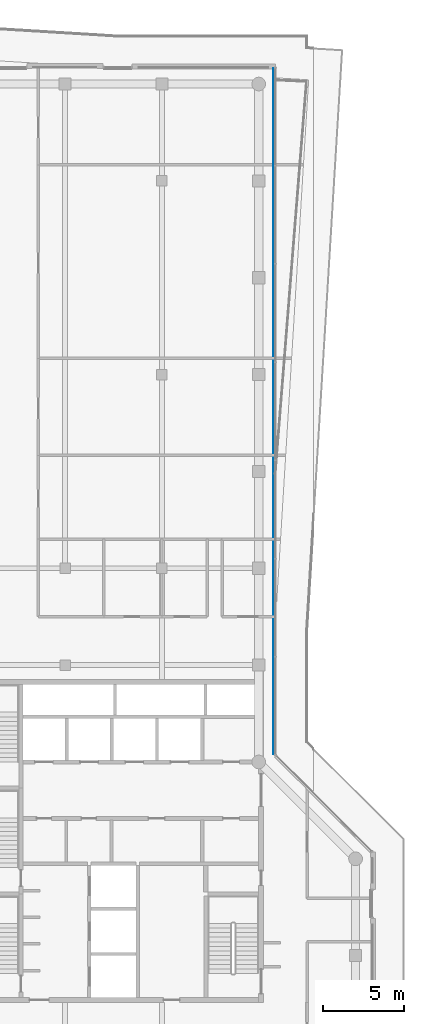
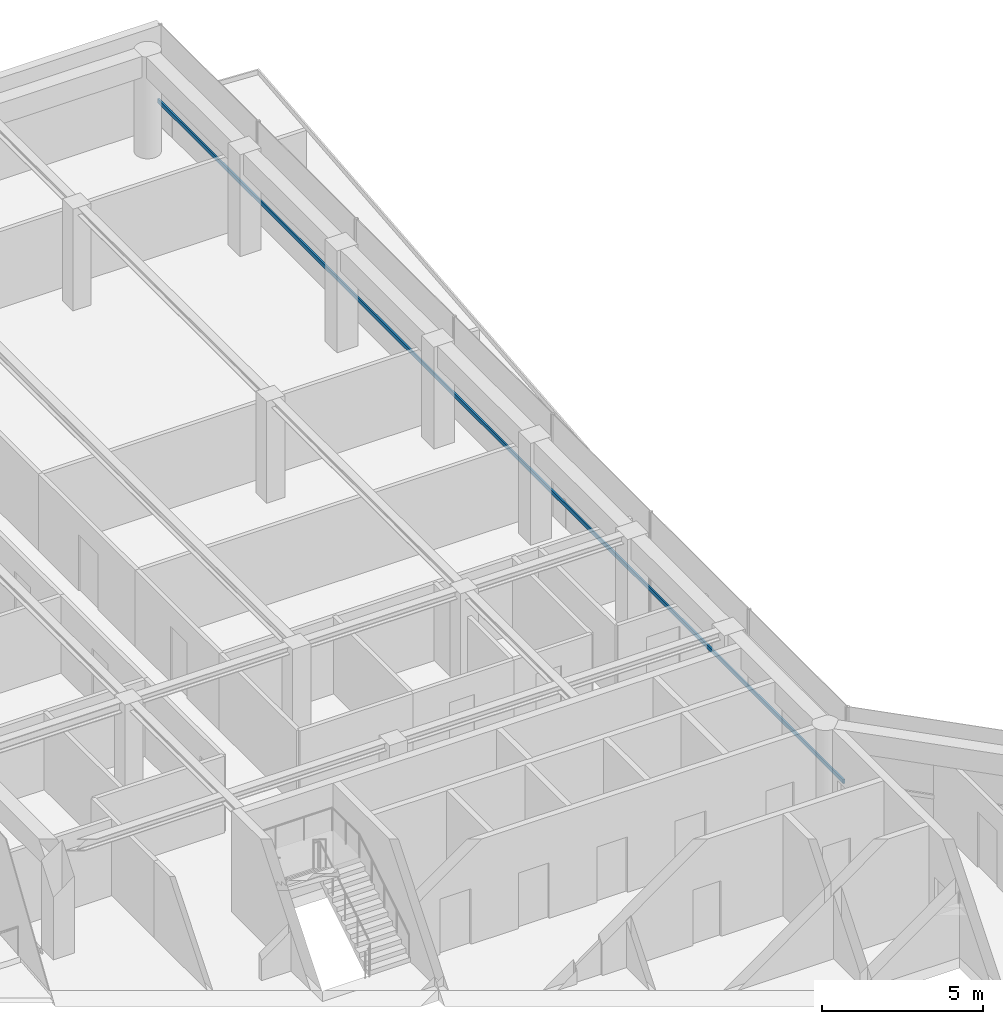
# One storey, part 8 of 18: 1 member, 1 element without a shape of its own.
"""IFC4 building model written with IfcOpenShell, lengths in metres."""

from ifc_helpers import new_model, si_unit, direction, frame, origin, origin_2d, place, context, subcontext, project, spatial, rectangle, extrude, material, layer, layer_set, material_profile, profile_set, type_object, element, aggregate, save


model = new_model("IFC4")

# Units and contexts
model_context = context("Model", 3, precision=1e-05, world=origin(), true_north=direction((0.0, 1.0)))
body_context = subcontext(model_context, "Body", "Model", "MODEL_VIEW")
ifc_project = project(units=[si_unit("LENGTHUNIT", "METRE"), si_unit("AREAUNIT", "SQUARE_METRE"), si_unit("VOLUMEUNIT", "CUBIC_METRE"), si_unit("PLANEANGLEUNIT", "RADIAN"), si_unit("MASSUNIT", "GRAM", prefix="KILO")], contexts=[model_context])

# Site, building, storey
site_placement = place(None, origin())
site = spatial("IfcSite", under=ifc_project, at=site_placement, CompositionType="ELEMENT")
building_placement = place(site_placement, origin())
building = spatial("IfcBuilding", under=site, at=building_placement, Name="Welwitschia Terrace Campus", CompositionType="ELEMENT")
storey_placement = place(building_placement, frame((0.0, 0.0, 272.60009765625)))
storey = spatial("IfcBuildingStorey", under=building, at=storey_placement, Name="L60", CompositionType="ELEMENT", Elevation=272.60009765625)

# Curtain wall, member
ifc_material_1 = material(Name="Bronze anodised aluminium", Category="aluminium")
ifc_layer = layer(ifc_material_1, 0.1201171875)
ifc_layer_set = layer_set([ifc_layer], Name="Bronze anodised aluminium")
curtain_wall_type = type_object("IfcCurtainWallType", Name="Curtain wall CW2 tower 6000", PredefinedType="NOTDEFINED", material=ifc_layer_set)
curtain_wall_placement = place(storey_placement, origin())
curtain_wall = element("IfcCurtainWall", 1, at=curtain_wall_placement, inside=storey, type_object=curtain_wall_type, Name="CW L60.7.0", PredefinedType="NOTDEFINED")
ifc_material_2 = material(Name="Bronze anodised aluminium", Category="aluminium")
ifc_material_profile = material_profile(ifc_material_2, rectangle(XDim=0.06005859375, YDim=0.14990234375, at=origin_2d()))
ifc_profile_set = profile_set([ifc_material_profile], Name="Bronze anodised aluminium")
member_type = type_object("IfcMemberType", Name="Transom 60x150", PredefinedType="USERDEFINED", material=ifc_profile_set)
member_placement = place(storey_placement, frame((24.93994140625, 20.486572265625, 1.0), z_axis=(0.0, 1.0, 0.0), x_axis=(-1.0, 0.0, 0.0)))
member = element("IfcMember", 2, at=member_placement, type_object=member_type, Name="Transom L60.7.0", ObjectType="TRANSOM", PredefinedType="USERDEFINED", context=body_context, shape_type="SweptSolid", body=[
    extrude(rectangle(XDim=0.06005859375, YDim=0.14990234375, at=origin_2d()), origin(), (0.0, 0.0, 1.0), 42.4833984375),
])
aggregate(curtain_wall, [member])

save(model, "model.ifc")
